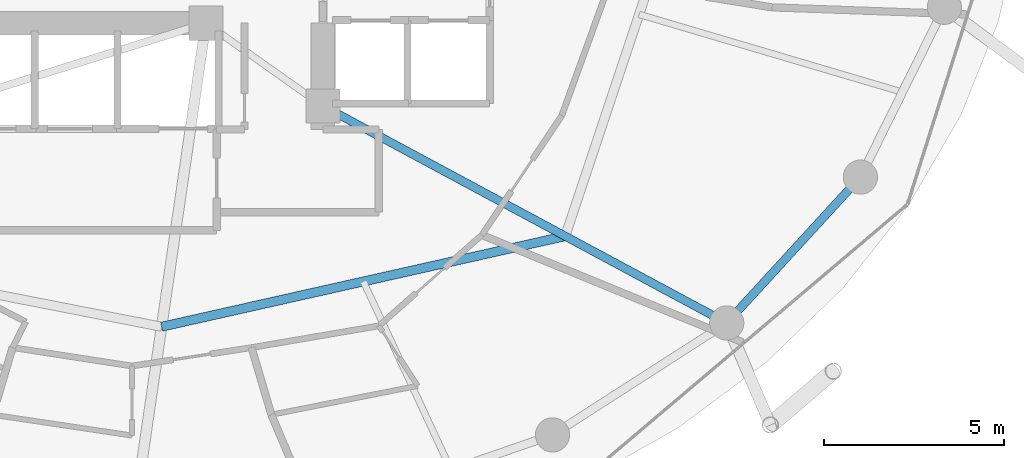
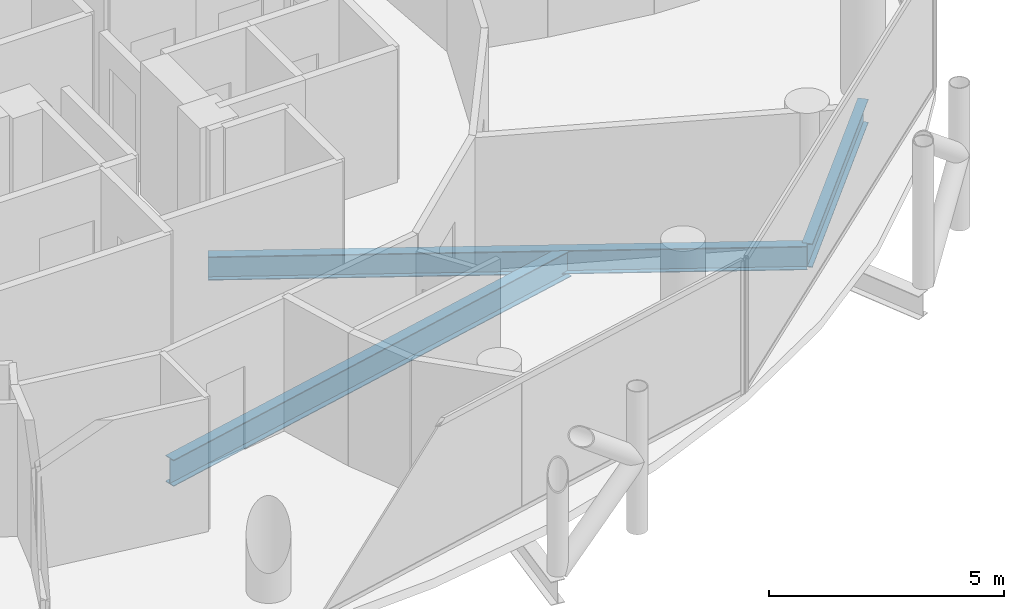
# One storey, part 9 of 26: 3 beams.
"""IFC4 building model written with IfcOpenShell, lengths in metres."""

from ifc_helpers import new_model, si_unit, direction, frame, origin, origin_2d, place, context, subcontext, project, spatial, i_section, extrude, material, material_profile, profile_set, type_object, element, save


model = new_model("IFC4")

# Units and contexts
model_context = context("Model", 3, precision=1e-05, world=origin(), true_north=direction((0.0, 1.0)))
body_context = subcontext(model_context, "Body", "Model", "MODEL_VIEW")
ifc_project = project(units=[si_unit("LENGTHUNIT", "METRE"), si_unit("AREAUNIT", "SQUARE_METRE"), si_unit("VOLUMEUNIT", "CUBIC_METRE"), si_unit("PLANEANGLEUNIT", "RADIAN"), si_unit("MASSUNIT", "GRAM", prefix="KILO")], contexts=[model_context])

# Site, building, storey
site_placement = place(None, origin())
site = spatial("IfcSite", under=ifc_project, at=site_placement, CompositionType="ELEMENT")
building_placement = place(site_placement, origin())
building = spatial("IfcBuilding", under=site, at=building_placement, Name="Nuhasar Tower", CompositionType="ELEMENT")
storey_placement = place(building_placement, frame((0.0, 0.0, 121.949951171875)))
storey = spatial("IfcBuildingStorey", under=building, at=storey_placement, Name="L28", CompositionType="ELEMENT", Elevation=121.949951171875)

# Beams
ifc_material = material(Name="Steel S355", Category="steel")
ifc_material_profile_1 = material_profile(ifc_material, i_section(OverallWidth=0.25390625, OverallDepth=0.68408203125, WebThickness=0.012451171875, FlangeThickness=0.018798828125, at=origin_2d()), Name="W27X94")
ifc_profile_set_1 = profile_set([ifc_material_profile_1], Name="Steel S355")
beam_type_1 = type_object("IfcBeamType", Name="BM-INRING-W27X94", PredefinedType="BEAM", material=ifc_profile_set_1)
beam_1_placement = place(storey_placement, frame((39.820068359375, 12.8701171875, -0.592041015625), z_axis=(0.975716159385, 0.219038755282, 0.0), x_axis=(-0.219038755282, 0.975716159385, 0.0)))
element("IfcBeam", 1, at=beam_1_placement, inside=storey, type_object=beam_type_1, Name="L28 Inner Header Beam 02", PredefinedType="BEAM", context=body_context, shape_type="SweptSolid", body=[
    extrude(i_section(OverallWidth=0.25390625, OverallDepth=0.68408203125, WebThickness=0.012451171875, FlangeThickness=0.018798828125, at=origin_2d()), origin(), (0.0, 0.0, 1.0), 11.48583984375),
])
ifc_material_profile_2 = material_profile(ifc_material, i_section(OverallWidth=0.22900390625, OverallDepth=0.612060546875, WebThickness=0.011962890625, FlangeThickness=0.01953125, at=origin_2d()), Name="W24X84")
ifc_profile_set_2 = profile_set([ifc_material_profile_2], Name="Steel S355")
beam_type_2 = type_object("IfcBeamType", Name="BM-RAD-W24X84", PredefinedType="BEAM", material=ifc_profile_set_2)
beam_2_placement = place(storey_placement, frame((44.300048828125, 19.0, -0.555908203125), z_axis=(0.880888386928, -0.473324043098, 0.0), x_axis=(0.473324043098, 0.880888386928, 0.0)))
element("IfcBeam", 2, at=beam_2_placement, inside=storey, type_object=beam_type_2, Name="L28 Radial Floor Girder 03", PredefinedType="BEAM", context=body_context, shape_type="SweptSolid", body=[
    extrude(i_section(OverallWidth=0.22900390625, OverallDepth=0.612060546875, WebThickness=0.011962890625, FlangeThickness=0.01953125, at=origin_2d()), origin(), (0.0, 0.0, 1.0), 12.726806640625),
])
ifc_material_profile_3 = material_profile(ifc_material, i_section(OverallWidth=0.22998046875, OverallDepth=0.616943359375, WebThickness=0.01318359375, FlangeThickness=0.022216796875, at=origin_2d()), Name="W24X94")
ifc_profile_set_3 = profile_set([ifc_material_profile_3], Name="Steel S355")
beam_type_3 = type_object("IfcBeamType", Name="BM-RING-W24X94", PredefinedType="SPANDREL", material=ifc_profile_set_3)
beam_3_placement = place(storey_placement, frame((55.510986328125, 12.97607421875, -0.557861328125), z_axis=(0.675676316545, 0.737198423262, 0.0), x_axis=(-0.737198423262, 0.675676316545, 0.0)))
element("IfcBeam", 3, at=beam_3_placement, inside=storey, type_object=beam_type_3, Name="L28 Perimeter Ring Spandrel 22", PredefinedType="SPANDREL", context=body_context, shape_type="SweptSolid", body=[
    extrude(i_section(OverallWidth=0.22998046875, OverallDepth=0.616943359375, WebThickness=0.01318359375, FlangeThickness=0.022216796875, at=origin_2d()), origin(), (0.0, 0.0, 1.0), 5.4921875),
])

save(model, "model.ifc")
